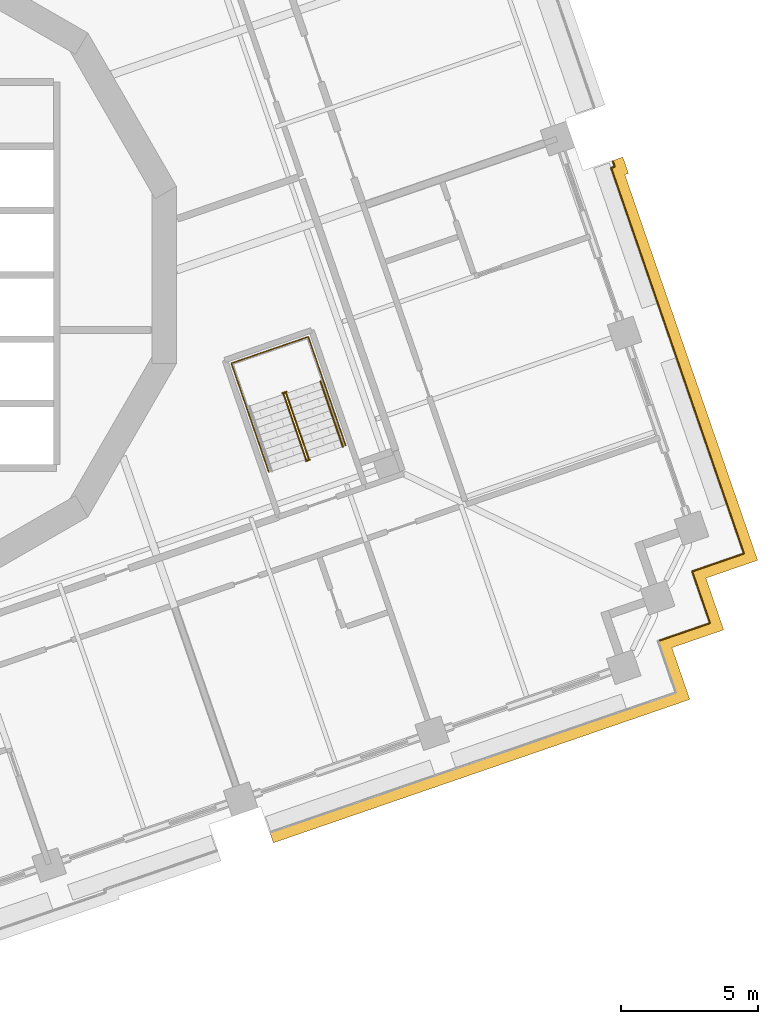
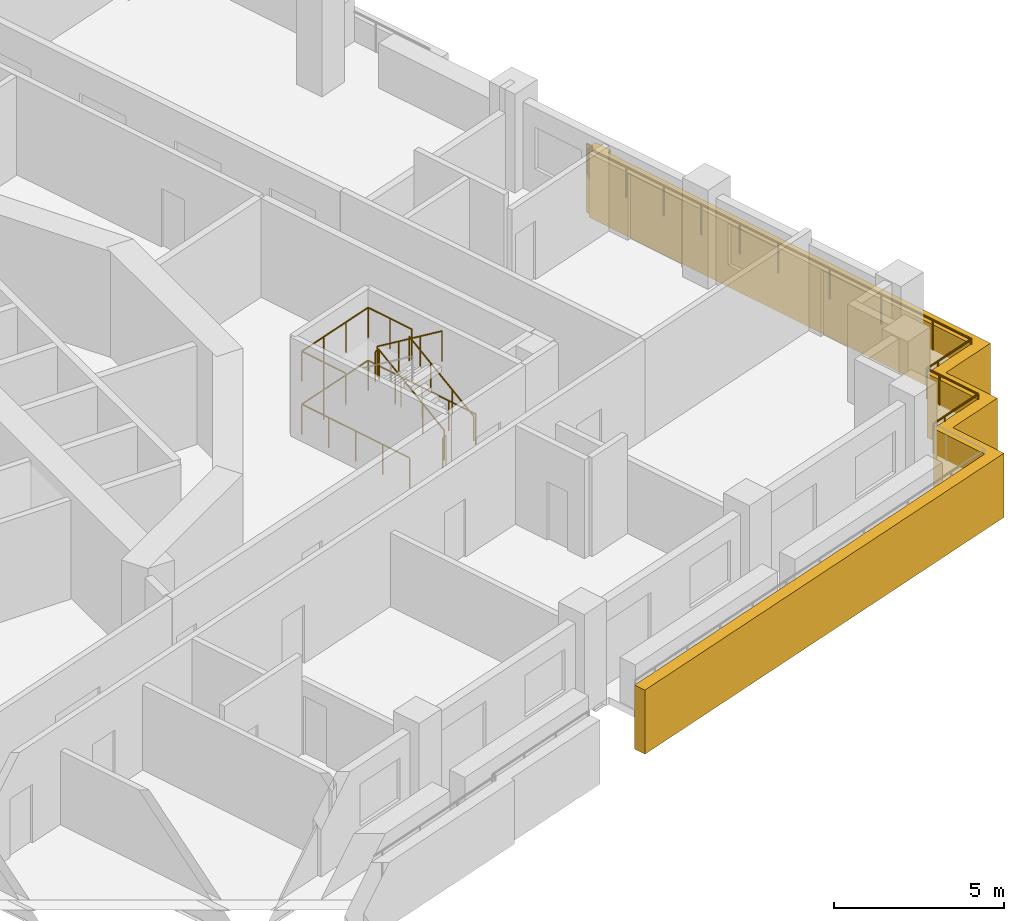
# One storey, part 15 of 19: 7 railings, 1 covering.
"""IFC4 building model written with IfcOpenShell, lengths in metres."""

from ifc_helpers import new_model, si_unit, direction, frame, origin, origin_2d, place, context, subcontext, project, spatial, polyline, circle, outline, extrude, material, type_object, element, save


model = new_model("IFC4")

# Units and contexts
model_context = context("Model", 3, precision=1e-05, world=origin(), true_north=direction((0.0, 1.0)))
body_context = subcontext(model_context, "Body", "Model", "MODEL_VIEW")
ifc_project = project(units=[si_unit("LENGTHUNIT", "METRE"), si_unit("AREAUNIT", "SQUARE_METRE"), si_unit("VOLUMEUNIT", "CUBIC_METRE"), si_unit("PLANEANGLEUNIT", "RADIAN"), si_unit("MASSUNIT", "GRAM", prefix="KILO")], contexts=[model_context])

# Site, building, storey
site_placement = place(None, origin())
site = spatial("IfcSite", under=ifc_project, at=site_placement, CompositionType="ELEMENT")
building_placement = place(site_placement, origin())
building = spatial("IfcBuilding", under=site, at=building_placement, Name="Cantera Rosa Tower", CompositionType="ELEMENT")
storey_placement = place(building_placement, frame((0.0, 0.0, 123.10009765625)))
storey = spatial("IfcBuildingStorey", under=building, at=storey_placement, Name="L25", CompositionType="ELEMENT", Elevation=123.10009765625)

# Railings
ifc_material_1 = material(Name="Stainless steel and laminated glass", Category="steel")
railing_type_1 = type_object("IfcRailingType", Name="GUARD 1100", PredefinedType="BALUSTRADE", material=ifc_material_1)
railing_1_placement = place(storey_placement, frame((28.011474609375, 4.156005859375, 0.0)))
element("IfcRailing", 1, at=railing_1_placement, inside=storey, type_object=railing_type_1, Name="GUARD L25-11", PredefinedType="BALUSTRADE", context=body_context, shape_type="SweptSolid", body=[
    extrude(circle(Radius=0.030029296875, at=origin_2d()), frame((0.0, 0.0, 1.070068359375), z_axis=(0.325701817188, -0.945472541262, 0.0), x_axis=(0.945472541262, 0.325701817188, 0.0)), (0.0, 0.0, 1.0), 0.20849609375),
    extrude(circle(Radius=0.030029296875, at=origin_2d()), frame((0.06787109375, -0.197021484375, 1.070068359375), z_axis=(-0.945279234775, -0.32626242245, 0.0), x_axis=(0.32626242245, -0.945279234775, 0.0)), (0.0, 0.0, 1.0), 0.138427734375),
    extrude(circle(Radius=0.030029296875, at=origin_2d()), frame((-0.06298828125, -0.2421875, 1.070068359375), z_axis=(0.325573371497, -0.945516779212, 0.0), x_axis=(0.945516779212, 0.325573371497, 0.0)), (0.0, 0.0, 1.0), 4.381591796875),
    extrude(circle(Radius=0.030029296875, at=origin_2d()), frame((1.363525390625, -4.385009765625, 1.070068359375), z_axis=(0.325539181077, -0.945528551438, 0.0), x_axis=(0.945528551438, 0.325539181077, 0.0)), (0.0, 0.0, 1.0), 2.999755859375),
    extrude(circle(Radius=0.030029296875, at=origin_2d()), frame((2.340087890625, -7.221435546875, 1.070068359375), z_axis=(0.325568215952, -0.945518554425, 0.0), x_axis=(0.945518554425, 0.325568215952, 0.0)), (0.0, 0.0, 1.0), 6.02001953125),
    extrude(circle(Radius=0.030029296875, at=origin_2d()), frame((4.300048828125, -12.91357421875, 1.070068359375), z_axis=(0.325539181077, -0.945528551438, 0.0), x_axis=(0.945528551438, 0.325539181077, 0.0)), (0.0, 0.0, 1.0), 1.5),
    extrude(circle(Radius=0.030029296875, at=origin_2d()), frame((4.788330078125, -14.331787109375, 1.070068359375), z_axis=(-0.945528551438, -0.325539181077, 0.0), x_axis=(0.325539181077, -0.945528551438, 0.0)), (0.0, 0.0, 1.0), 1.5),
    extrude(circle(Radius=0.030029296875, at=origin_2d()), frame((3.3701171875, -14.820068359375, 1.070068359375), z_axis=(-0.945461173218, -0.32573481536, 0.0), x_axis=(0.32573481536, -0.945461173218, 0.0)), (0.0, 0.0, 1.0), 0.5),
    extrude(circle(Radius=0.030029296875, at=origin_2d()), frame((2.8974609375, -14.98291015625, 1.070068359375), z_axis=(0.325147989177, -0.945663145699, 0.0), x_axis=(0.945663145699, 0.325147989177, 0.0)), (0.0, 0.0, 1.0), 0.5),
    extrude(circle(Radius=0.030029296875, at=origin_2d()), frame((3.06005859375, -15.455810546875, 1.070068359375), z_axis=(0.325684689469, -0.945478441343, 0.0), x_axis=(0.945478441343, 0.325684689469, 0.0)), (0.0, 0.0, 1.0), 1.5),
    extrude(circle(Radius=0.030029296875, at=origin_2d()), frame((3.548583984375, -16.8740234375, 1.070068359375), z_axis=(-0.945545797087, -0.325489086777, 0.0), x_axis=(0.325489086777, -0.945545797087, 0.0)), (0.0, 0.0, 1.0), 1.500244140625),
    extrude(circle(Radius=0.030029296875, at=origin_2d()), frame((2.130126953125, -17.3623046875, 1.070068359375), z_axis=(-0.945461173218, -0.32573481536, 0.0), x_axis=(0.32573481536, -0.945461173218, 0.0)), (0.0, 0.0, 1.0), 0.5),
    extrude(circle(Radius=0.02490234375, at=origin_2d()), origin(), (0.0, 0.0, 1.0), 1.0400390625),
    extrude(circle(Radius=0.02490234375, at=origin_2d()), frame((0.06787109375, -0.197021484375, 0.0)), (0.0, 0.0, 1.0), 1.0400390625),
    extrude(circle(Radius=0.02490234375, at=origin_2d()), frame((-0.06298828125, -0.2421875, 0.0)), (0.0, 0.0, 1.0), 1.0400390625),
    extrude(circle(Radius=0.02490234375, at=origin_2d()), frame((0.41259765625, -1.623046875, 0.0)), (0.0, 0.0, 1.0), 1.0400390625),
    extrude(circle(Radius=0.02490234375, at=origin_2d()), frame((0.887939453125, -3.004150390625, 0.0)), (0.0, 0.0, 1.0), 1.0400390625),
    extrude(circle(Radius=0.02490234375, at=origin_2d()), frame((1.363525390625, -4.385009765625, 0.0)), (0.0, 0.0, 1.0), 1.0400390625),
    extrude(circle(Radius=0.02490234375, at=origin_2d()), frame((1.851806640625, -5.80322265625, 0.0)), (0.0, 0.0, 1.0), 1.0400390625),
    extrude(circle(Radius=0.02490234375, at=origin_2d()), frame((2.340087890625, -7.221435546875, 0.0)), (0.0, 0.0, 1.0), 1.0400390625),
    extrude(circle(Radius=0.02490234375, at=origin_2d()), frame((2.993408203125, -9.118896484375, 0.0)), (0.0, 0.0, 1.0), 1.0400390625),
    extrude(circle(Radius=0.02490234375, at=origin_2d()), frame((3.646728515625, -11.01611328125, 0.0)), (0.0, 0.0, 1.0), 1.0400390625),
    extrude(circle(Radius=0.02490234375, at=origin_2d()), frame((4.300048828125, -12.91357421875, 0.0)), (0.0, 0.0, 1.0), 1.0400390625),
    extrude(circle(Radius=0.02490234375, at=origin_2d()), frame((4.788330078125, -14.331787109375, 0.0)), (0.0, 0.0, 1.0), 1.0400390625),
    extrude(circle(Radius=0.02490234375, at=origin_2d()), frame((3.3701171875, -14.820068359375, 0.0)), (0.0, 0.0, 1.0), 1.0400390625),
    extrude(circle(Radius=0.02490234375, at=origin_2d()), frame((2.8974609375, -14.98291015625, 0.0)), (0.0, 0.0, 1.0), 1.0400390625),
    extrude(circle(Radius=0.02490234375, at=origin_2d()), frame((3.06005859375, -15.455810546875, 0.0)), (0.0, 0.0, 1.0), 1.0400390625),
    extrude(circle(Radius=0.02490234375, at=origin_2d()), frame((3.548583984375, -16.8740234375, 0.0)), (0.0, 0.0, 1.0), 1.0400390625),
    extrude(circle(Radius=0.02490234375, at=origin_2d()), frame((2.130126953125, -17.3623046875, 0.0)), (0.0, 0.0, 1.0), 1.0400390625),
    extrude(circle(Radius=0.02490234375, at=origin_2d()), frame((1.657470703125, -17.525146484375, 0.0)), (0.0, 0.0, 1.0), 1.0400390625),
])
ifc_material_2 = material(Name="Steel S355J2 (EN 10025-2)", Category="steel")
railing_type_2 = type_object("IfcRailingType", Name="STAIR GUARD 1100", PredefinedType="GUARDRAIL", material=ifc_material_2)
railing_2_placement = place(storey_placement, frame((16.902099609375, -6.707763671875, 0.18994140625)))
element("IfcRailing", 2, at=railing_2_placement, inside=storey, type_object=railing_type_2, Name="L25 ST-23 stair guard 1", PredefinedType="GUARDRAIL", context=body_context, shape_type="SweptSolid", body=[
    extrude(circle(Radius=0.02392578125, at=origin_2d()), frame((0.0, 0.0, 1.076171875), z_axis=(-0.269358070891, 0.782421063063, 0.561483312059), x_axis=(-0.945537585866, -0.325512939397, 0.0)), (0.0, 0.0, 1.0), 3.04541015625),
    extrude(circle(Radius=0.02392578125, at=origin_2d()), frame((-0.8203125, 2.3828125, 2.7861328125), z_axis=(0.147491890402, 0.989063265047, 0.0), x_axis=(-0.989063265047, 0.147491890402, 0.0)), (0.0, 0.0, 1.0), 0.056396484375),
    extrude(circle(Radius=0.02392578125, at=origin_2d()), frame((-0.81201171875, 2.4384765625, 2.7861328125), z_axis=(-0.945545797087, -0.325489086777, 0.0), x_axis=(0.325489086777, -0.945545797087, 0.0)), (0.0, 0.0, 1.0), 0.14990234375),
    extrude(circle(Radius=0.02099609375, at=origin_2d()), origin(), (0.0, 0.0, 1.0), 1.052001953125),
    extrude(circle(Radius=0.02099609375, at=origin_2d()), frame((-0.2734375, 0.794189453125, 0.570068359375)), (0.0, 0.0, 1.0), 1.052001953125),
    extrude(circle(Radius=0.02099609375, at=origin_2d()), frame((-0.546875, 1.588623046875, 1.139892578125)), (0.0, 0.0, 1.0), 1.052001953125),
    extrude(circle(Radius=0.02099609375, at=origin_2d()), frame((-0.8203125, 2.3828125, 1.7099609375)), (0.0, 0.0, 1.0), 1.052001953125),
    extrude(circle(Radius=0.02099609375, at=origin_2d()), frame((-0.81201171875, 2.4384765625, 1.7099609375)), (0.0, 0.0, 1.0), 1.052001953125),
    extrude(circle(Radius=0.02099609375, at=origin_2d()), frame((-0.953857421875, 2.3896484375, 1.7099609375)), (0.0, 0.0, 1.0), 1.052001953125),
])
railing_3_placement = place(storey_placement, frame((15.989013671875, -4.35693359375, 2.08984375)))
element("IfcRailing", 3, at=railing_3_placement, inside=storey, type_object=railing_type_2, Name="L25 ST-23 stair guard 2", PredefinedType="GUARDRAIL", context=body_context, shape_type="SweptSolid", body=[
    extrude(circle(Radius=0.02392578125, at=origin_2d()), frame((0.0, 0.0, 1.076171875), z_axis=(0.269432418223, -0.782404165978, 0.561471186323), x_axis=(0.94550776501, 0.325599548996, 0.0)), (0.0, 0.0, 1.0), 3.04541015625),
    extrude(circle(Radius=0.02099609375, at=origin_2d()), origin(), (0.0, 0.0, 1.0), 1.052001953125),
    extrude(circle(Radius=0.02099609375, at=origin_2d()), frame((0.2734375, -0.794189453125, 0.570068359375)), (0.0, 0.0, 1.0), 1.052001953125),
    extrude(circle(Radius=0.02099609375, at=origin_2d()), frame((0.547119140625, -1.588623046875, 1.139892578125)), (0.0, 0.0, 1.0), 1.052001953125),
    extrude(circle(Radius=0.02099609375, at=origin_2d()), frame((0.820556640625, -2.3828125, 1.7099609375)), (0.0, 0.0, 1.0), 1.052001953125),
])
railing_4_placement = place(storey_placement, frame((16.94287109375, -6.74658203125, 0.0)))
element("IfcRailing", 4, at=railing_4_placement, inside=storey, type_object=railing_type_2, Name="L25 ST-23 stair guard 3", PredefinedType="GUARDRAIL", context=body_context, shape_type="SweptSolid", body=[
    extrude(circle(Radius=0.02392578125, at=origin_2d()), frame((0.0, 0.0, 1.076171875), z_axis=(-0.945372981626, -0.325990683319, 0.0), x_axis=(0.325990683319, -0.945372981626, 0.0)), (0.0, 0.0, 1.0), 0.14990234375),
    extrude(circle(Radius=0.02099609375, at=origin_2d()), origin(), (0.0, 0.0, 1.0), 1.052001953125),
    extrude(circle(Radius=0.02099609375, at=origin_2d()), frame((-0.1416015625, -0.048828125, 0.0)), (0.0, 0.0, 1.0), 1.052001953125),
])
railing_5_placement = place(storey_placement, frame((18.256103515625, -6.22900390625, 0.0)))
element("IfcRailing", 5, at=railing_5_placement, inside=storey, type_object=railing_type_2, Name="L25 ST-23 stair guard 4", PredefinedType="GUARDRAIL", context=body_context, shape_type="SweptSolid", body=[
    extrude(circle(Radius=0.02392578125, at=origin_2d()), frame((0.0, 0.0, 1.076171875), z_axis=(-0.3255981694, 0.945508240093, 0.0), x_axis=(-0.945508240093, -0.3255981694, 0.0)), (0.0, 0.0, 1.0), 4.1982421875),
    extrude(circle(Radius=0.02392578125, at=origin_2d()), frame((-1.366943359375, 3.969482421875, 1.076171875), z_axis=(-0.945504814226, -0.325608117645, 0.0), x_axis=(0.325608117645, -0.945504814226, 0.0)), (0.0, 0.0, 1.0), 2.969970703125),
    extrude(circle(Radius=0.02392578125, at=origin_2d()), frame((-4.175048828125, 3.00244140625, 1.076171875), z_axis=(0.325564081496, -0.945519978022, 0.0), x_axis=(0.945519978022, 0.325564081496, 0.0)), (0.0, 0.0, 1.0), 4.197998046875),
    extrude(circle(Radius=0.02099609375, at=origin_2d()), origin(), (0.0, 0.0, 1.0), 1.052001953125),
    extrude(circle(Radius=0.02099609375, at=origin_2d()), frame((-0.341796875, 0.992431640625, 0.0)), (0.0, 0.0, 1.0), 1.052001953125),
    extrude(circle(Radius=0.02099609375, at=origin_2d()), frame((-0.68359375, 1.98486328125, 0.0)), (0.0, 0.0, 1.0), 1.052001953125),
    extrude(circle(Radius=0.02099609375, at=origin_2d()), frame((-1.025146484375, 2.97705078125, 0.0)), (0.0, 0.0, 1.0), 1.052001953125),
    extrude(circle(Radius=0.02099609375, at=origin_2d()), frame((-1.366943359375, 3.969482421875, 0.0)), (0.0, 0.0, 1.0), 1.052001953125),
    extrude(circle(Radius=0.02099609375, at=origin_2d()), frame((-2.302978515625, 3.647216796875, 0.0)), (0.0, 0.0, 1.0), 1.052001953125),
    extrude(circle(Radius=0.02099609375, at=origin_2d()), frame((-3.239013671875, 3.32470703125, 0.0)), (0.0, 0.0, 1.0), 1.052001953125),
    extrude(circle(Radius=0.02099609375, at=origin_2d()), frame((-4.175048828125, 3.00244140625, 0.0)), (0.0, 0.0, 1.0), 1.052001953125),
    extrude(circle(Radius=0.02099609375, at=origin_2d()), frame((-3.83349609375, 2.01025390625, 0.0)), (0.0, 0.0, 1.0), 1.052001953125),
    extrude(circle(Radius=0.02099609375, at=origin_2d()), frame((-3.49169921875, 1.017822265625, 0.0)), (0.0, 0.0, 1.0), 1.052001953125),
    extrude(circle(Radius=0.02099609375, at=origin_2d()), frame((-3.14990234375, 0.025390625, 0.0)), (0.0, 0.0, 1.0), 1.052001953125),
    extrude(circle(Radius=0.02099609375, at=origin_2d()), frame((-2.808349609375, -0.966796875, 0.0)), (0.0, 0.0, 1.0), 1.052001953125),
])
railing_6_placement = place(storey_placement, frame((17.443359375, -3.868896484375, 1.89990234375)))
element("IfcRailing", 6, at=railing_6_placement, inside=storey, type_object=railing_type_2, Name="L25 ST-23 stair guard 5", PredefinedType="GUARDRAIL", context=body_context, shape_type="SweptSolid", body=[
    extrude(circle(Radius=0.02392578125, at=origin_2d()), frame((0.0, 0.0, 1.076171875), z_axis=(-0.32559282233, 0.94551008141, 0.0), x_axis=(-0.94551008141, -0.32559282233, 0.0)), (0.0, 0.0, 1.0), 1.7021484375),
    extrude(circle(Radius=0.02392578125, at=origin_2d()), frame((-0.55419921875, 1.609375, 1.076171875), z_axis=(-0.945504814226, -0.325608117645, 0.0), x_axis=(0.325608117645, -0.945504814226, 0.0)), (0.0, 0.0, 1.0), 2.969970703125),
    extrude(circle(Radius=0.02392578125, at=origin_2d()), frame((-3.3623046875, 0.642333984375, 1.076171875), z_axis=(0.32559282233, -0.94551008141, 0.0), x_axis=(0.94551008141, 0.32559282233, 0.0)), (0.0, 0.0, 1.0), 1.7021484375),
    extrude(circle(Radius=0.02099609375, at=origin_2d()), origin(), (0.0, 0.0, 1.0), 1.052001953125),
    extrude(circle(Radius=0.02099609375, at=origin_2d()), frame((-0.277099609375, 0.8046875, 0.0)), (0.0, 0.0, 1.0), 1.052001953125),
    extrude(circle(Radius=0.02099609375, at=origin_2d()), frame((-0.55419921875, 1.609375, 0.0)), (0.0, 0.0, 1.0), 1.052001953125),
    extrude(circle(Radius=0.02099609375, at=origin_2d()), frame((-1.490234375, 1.287109375, 0.0)), (0.0, 0.0, 1.0), 1.052001953125),
    extrude(circle(Radius=0.02099609375, at=origin_2d()), frame((-2.42626953125, 0.964599609375, 0.0)), (0.0, 0.0, 1.0), 1.052001953125),
    extrude(circle(Radius=0.02099609375, at=origin_2d()), frame((-3.3623046875, 0.642333984375, 0.0)), (0.0, 0.0, 1.0), 1.052001953125),
    extrude(circle(Radius=0.02099609375, at=origin_2d()), frame((-3.085205078125, -0.162353515625, 0.0)), (0.0, 0.0, 1.0), 1.052001953125),
    extrude(circle(Radius=0.02099609375, at=origin_2d()), frame((-2.80810546875, -0.967041015625, 0.0)), (0.0, 0.0, 1.0), 1.052001953125),
])
ifc_material_3 = material(Name="Steel S355J2 (EN 10025-2)", Category="steel")
railing_type_3 = type_object("IfcRailingType", Name="STAIR HANDRAIL 900", PredefinedType="HANDRAIL", material=ifc_material_3)
railing_7_placement = place(storey_placement, frame((18.15576171875, -6.276123046875, 0.18994140625)))
element("IfcRailing", 7, at=railing_7_placement, inside=storey, type_object=railing_type_3, Name="L25 ST-23 stair handrail 1", PredefinedType="HANDRAIL", context=body_context, shape_type="SweptSolid", body=[
    extrude(circle(Radius=0.02392578125, at=origin_2d()), frame((0.0, 0.0, 0.8759765625), z_axis=(-0.269358070891, 0.782421063063, 0.561483312059), x_axis=(-0.945537585866, -0.325512939397, 0.0)), (0.0, 0.0, 1.0), 3.04541015625),
    extrude(circle(Radius=0.02099609375, at=origin_2d()), origin(), (0.0, 0.0, 1.0), 0.851806640625),
    extrude(circle(Radius=0.02099609375, at=origin_2d()), frame((-0.2734375, 0.794189453125, 0.570068359375)), (0.0, 0.0, 1.0), 0.851806640625),
    extrude(circle(Radius=0.02099609375, at=origin_2d()), frame((-0.546875, 1.588623046875, 1.139892578125)), (0.0, 0.0, 1.0), 0.851806640625),
    extrude(circle(Radius=0.02099609375, at=origin_2d()), frame((-0.8203125, 2.3828125, 1.7099609375)), (0.0, 0.0, 1.0), 0.851806640625),
])

# Covering
ifc_material_4 = material(Name="Cantera stone", Category="masonry")
covering_type = type_object("IfcCoveringType", Name="TRAY FASCIA 400", PredefinedType="CLADDING", material=ifc_material_4)
covering_placement = place(storey_placement, frame((0.0, 0.0, -1.400146484375)))
element("IfcCovering", 8, at=covering_placement, inside=storey, type_object=covering_type, Name="TRAY FASCIA L25-08", PredefinedType="CLADDING", context=body_context, shape_type="SweptSolid", body=[
    extrude(outline(polyline([(28.587890625, 3.7109375), (28.456787109375, 3.666015625), (29.753173828125, -0.0986328125), (30.729736328125, -2.935302734375), (32.689697265625, -8.627197265625), (33.308349609375, -10.423828125), (31.511962890625, -11.042236328125), (31.417236328125, -11.074951171875), (31.449951171875, -11.16943359375), (32.068359375, -12.966064453125), (30.27197265625, -13.58447265625), (30.177490234375, -13.6171875), (30.2099609375, -13.711669921875), (30.82861328125, -15.508056640625), (29.031982421875, -16.126708984375), (23.453369140625, -18.047607421875), (20.616943359375, -19.024169921875), (16.45654296875, -20.456787109375), (15.615234375, -20.74658203125), (15.48486328125, -20.368408203125), (16.326416015625, -20.07861328125), (20.48681640625, -18.64599609375), (23.3232421875, -17.66943359375), (28.90185546875, -15.74853515625), (30.320068359375, -15.26025390625), (29.831787109375, -13.841796875), (29.6689453125, -13.369140625), (30.1416015625, -13.206298828125), (31.56005859375, -12.718017578125), (31.071533203125, -11.2998046875), (30.908935546875, -10.826904296875), (31.381591796875, -10.6640625), (32.7998046875, -10.17578125), (32.3115234375, -8.757568359375), (30.3515625, -3.0654296875), (29.375, -0.22900390625), (27.948486328125, 3.913818359375), (28.079345703125, 3.958984375), (28.0048828125, 4.175048828125), (28.383056640625, 4.30517578125), (28.587890625, 3.7109375)])), origin(), (0.0, 0.0, 1.0), 2.300048828125),
])

save(model, "model.ifc")
